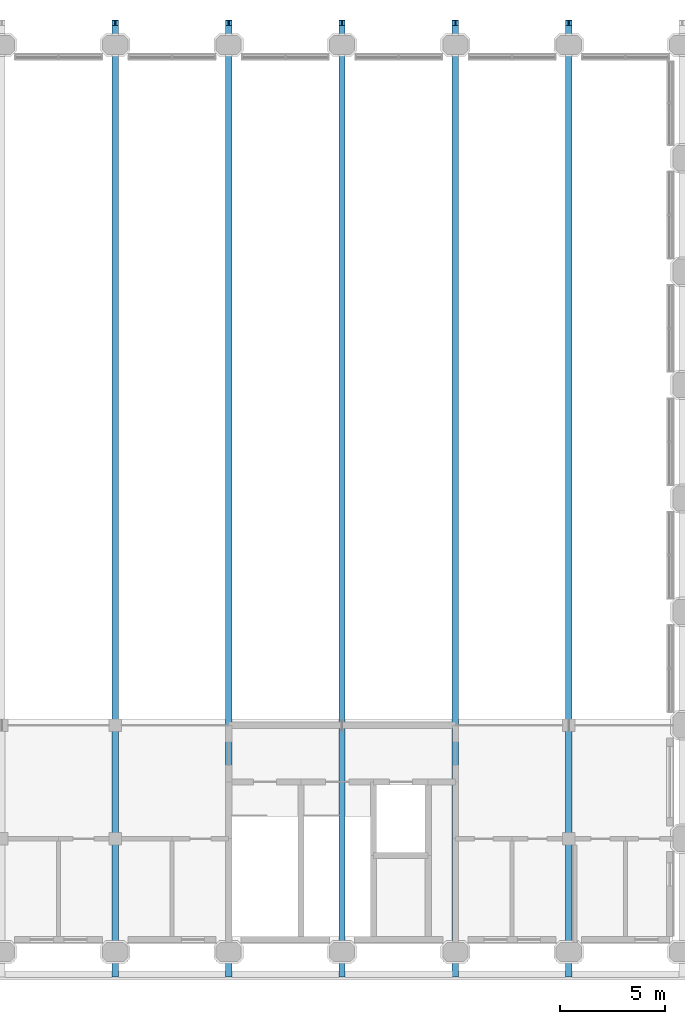
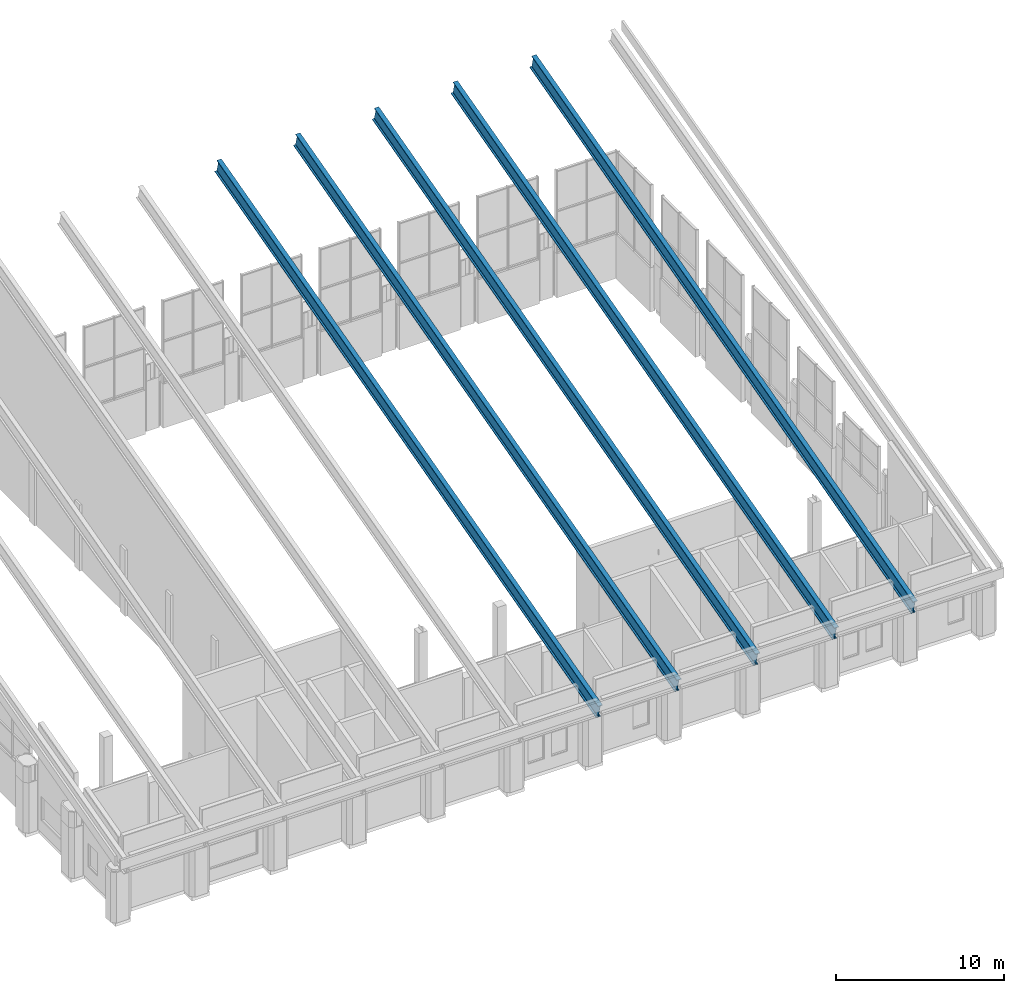
# One storey, part 17 of 42: 5 beams.
"""IFC4 building model written with IfcOpenShell, lengths in metres."""

import ifcopenshell
import ifcopenshell.guid

model = None  # the IFC model being written
_history = None  # IfcOwnerHistory: only IFC2X3 demands one
_inside = {}  # id of a spatial element -> (the spatial element, [elements in it])
_under = {}  # id of a project, library or spatial element -> (it, [spatial elements below it])
_declared = {}  # id of a project -> (the project, [libraries it declares])
_typed = {}  # id of a type object -> (the type object, [elements of that type])
_made_of = {}  # id of a material, layer set ... -> (it, [elements and type objects made of it])


def new_model(schema):
    """Start an empty IFC model of exactly this schema.

    Asked for "IFC4X3", IfcOpenShell would pick the latest addendum, in which some entities
    have other attributes; the version numbers below select the first issue.
    IFC2X3 requires an IfcOwnerHistory on every rooted entity: one is made here for all.
    """
    global model, _history
    if schema == "IFC4X3":
        model = ifcopenshell.file(schema_version=(4, 3, 0, 0))
    else:
        model = ifcopenshell.file(schema=schema)
    _inside.clear()
    _under.clear()
    _declared.clear()
    _typed.clear()
    _made_of.clear()
    _history = None
    if model.schema == "IFC2X3":
        org = make("IfcOrganization", Name="unknown")
        user = make(
            "IfcPersonAndOrganization",
            ThePerson=make("IfcPerson", FamilyName="unknown"),
            TheOrganization=org,
        )
        app = make(
            "IfcApplication",
            ApplicationDeveloper=org,
            Version="unknown",
            ApplicationFullName="unknown",
            ApplicationIdentifier="unknown",
        )
        _history = make(
            "IfcOwnerHistory",
            OwningUser=user,
            OwningApplication=app,
            ChangeAction="ADDED",
            CreationDate=0,
        )
    return model


def make(cls, **values):
    """One entity of the class cls with the attributes given. An attribute that is None is left unset."""
    return model.create_entity(
        cls, **{name: value for name, value in values.items() if value is not None}
    )


def rooted(cls, **values):
    """An entity with a GlobalId (a new one), such as an element, a storey or a relation."""
    return make(cls, GlobalId=ifcopenshell.guid.new(), OwnerHistory=_history, **values)


def si_unit(unit_type, name, prefix=None):
    """IfcSIUnit, for example si_unit("LENGTHUNIT", "METRE", prefix="MILLI")."""
    return make("IfcSIUnit", UnitType=unit_type, Prefix=prefix, Name=name)


def assignment(units):
    """IfcUnitAssignment: the units of a project."""
    return None if units is None else make("IfcUnitAssignment", Units=units)


def point(xyz):
    """IfcCartesianPoint."""
    return None if xyz is None else make("IfcCartesianPoint", Coordinates=xyz)


def direction(xyz):
    """IfcDirection."""
    return None if xyz is None else make("IfcDirection", DirectionRatios=xyz)


def frame(location, z_axis=None, x_axis=None):
    """IfcAxis2Placement3D, a coordinate frame: its origin and axes. An axis left out is left unset."""
    return make(
        "IfcAxis2Placement3D",
        Location=point(location),
        Axis=direction(z_axis),
        RefDirection=direction(x_axis),
    )


def frame_2d(location, x_axis=None):
    """IfcAxis2Placement2D, a coordinate frame in the plane: its origin and x axis."""
    return make(
        "IfcAxis2Placement2D", Location=point(location), RefDirection=direction(x_axis)
    )


def origin():
    """The frame at (0, 0, 0) with its axes left unset."""
    return frame((0.0, 0.0, 0.0))


def origin_2d():
    """The frame at (0, 0) in the plane with its x axis left unset."""
    return frame_2d((0.0, 0.0))


def place(relative_to, where):
    """IfcLocalPlacement: puts the frame where relative to a parent placement (None: the world)."""
    return make(
        "IfcLocalPlacement", PlacementRelTo=relative_to, RelativePlacement=where
    )


def context(
    kind, dimensions, precision=None, world=None, true_north=None, identifier=None
):
    """IfcGeometricRepresentationContext, for example the 3D "Model" context."""
    return make(
        "IfcGeometricRepresentationContext",
        ContextIdentifier=identifier,
        ContextType=kind,
        CoordinateSpaceDimension=dimensions,
        Precision=precision,
        WorldCoordinateSystem=world,
        TrueNorth=true_north,
    )


def subcontext(parent, identifier, kind, view, scale=None):
    """IfcGeometricRepresentationSubContext, for example "Body" below "Model"."""
    return make(
        "IfcGeometricRepresentationSubContext",
        ContextIdentifier=identifier,
        ContextType=kind,
        ParentContext=parent,
        TargetScale=scale,
        TargetView=view,
    )


def project(units=None, contexts=None):
    """IfcProject with its units and contexts."""
    return rooted(
        "IfcProject",
        Name="project",
        RepresentationContexts=contexts,
        UnitsInContext=assignment(units),
    )


def spatial(cls, under=None, at=None, **own):
    """A site, building, storey or space (cls), placed at a placement, below another one or the project."""
    s = rooted(cls, ObjectPlacement=at, **own)
    if under is not None:
        _under.setdefault(under.id(), (under, []))[1].append(s)
    return s


def profile(cls, at=None, kind="AREA", **sizes):
    """A parametric profile (cls). Its sizes go by their IFC names, for example OverallWidth=200.0."""
    return make(cls, ProfileType=kind, Position=at, **sizes)


def i_section(**sizes):
    """IfcIShapeProfileDef."""
    return profile("IfcIShapeProfileDef", **sizes)


def extrude(swept, where, along, depth):
    """IfcExtrudedAreaSolid: the profile swept, set in the frame where, extruded along a direction by depth."""
    return make(
        "IfcExtrudedAreaSolid",
        SweptArea=swept,
        Position=where,
        ExtrudedDirection=direction(along),
        Depth=depth,
    )


def shape(context_of_items, identifier, shape_type, items):
    """IfcShapeRepresentation: the items that make up one representation, for example the "Body"."""
    return make(
        "IfcShapeRepresentation",
        ContextOfItems=context_of_items,
        RepresentationIdentifier=identifier,
        RepresentationType=shape_type,
        Items=items,
    )


def material(Name=None, Category=None):
    """IfcMaterial."""
    return make("IfcMaterial", Name=Name, Category=Category)


def material_profile(
    of_material, cross_section, Name=None, Category=None, Priority=None
):
    """IfcMaterialProfile: a cross section and its material."""
    return make(
        "IfcMaterialProfile",
        Name=Name,
        Material=of_material,
        Profile=cross_section,
        Priority=Priority,
        Category=Category,
    )


def profile_set(profiles, Name=None, composite=None):
    """IfcMaterialProfileSet."""
    return make(
        "IfcMaterialProfileSet",
        Name=Name,
        MaterialProfiles=profiles,
        CompositeProfile=composite,
    )


def made_of(thing, what):
    """Note that an element or type object is made of a material, layer set ...; save() writes the relation."""
    if what is not None:
        _made_of.setdefault(what.id(), (what, []))[1].append(thing)
    return thing


def type_object(cls, material=None, **own):
    """A type object (cls), such as IfcWallType, which elements share."""
    return made_of(rooted(cls, **own), material)


def element(
    cls,
    number,
    at=None,
    inside=None,
    cuts=None,
    type_object=None,
    material=None,
    context=None,
    identifier="Body",
    shape_type=None,
    held_by="IfcProductDefinitionShape",
    body=None,
    shapes=None,
    **own,
):
    """One element of the class cls, such as IfcWall. Its Tag is "e" and its number.

    at: its placement. inside: the storey or other place that contains it. cuts: it is an
    opening in that element (IfcRelVoidsElement). A single representation is given by context,
    identifier, shape_type and body (its items); several are given by shapes. held_by: the class
    of the entity that holds the representations. save() writes the other relations.
    """
    e = rooted(cls, Tag="e%d" % number, ObjectPlacement=at, **own)
    if body is not None:
        shapes = [shape(context, identifier, shape_type, body)]
    if shapes is not None:
        e.Representation = make(held_by, Representations=shapes)
    if inside is not None:
        _inside.setdefault(inside.id(), (inside, []))[1].append(e)
    if cuts is not None:
        rooted(
            "IfcRelVoidsElement", RelatingBuildingElement=cuts, RelatedOpeningElement=e
        )
    if type_object is not None:
        _typed.setdefault(type_object.id(), (type_object, []))[1].append(e)
    return made_of(e, material)


def aggregate(whole, parts):
    """IfcRelAggregates: a whole, such as a stair, and the parts it consists of."""
    return rooted("IfcRelAggregates", RelatingObject=whole, RelatedObjects=parts)


def save(model, path):
    """Write the relations noted so far, then the file.

    IfcRelAggregates (storeys below a building ...), IfcRelContainedInSpatialStructure (elements
    in a storey), IfcRelDefinesByType, IfcRelAssociatesMaterial and IfcRelDeclares: one each for
    every whole, place, type object, material and project.
    """
    for whole, parts in _under.values():
        aggregate(whole, parts)
    for where, things in _inside.values():
        rooted(
            "IfcRelContainedInSpatialStructure",
            RelatedElements=things,
            RelatingStructure=where,
        )
    for kind, things in _typed.values():
        rooted("IfcRelDefinesByType", RelatedObjects=things, RelatingType=kind)
    for what, things in _made_of.values():
        rooted("IfcRelAssociatesMaterial", RelatedObjects=things, RelatingMaterial=what)
    for by, libraries in _declared.values():
        rooted("IfcRelDeclares", RelatingContext=by, RelatedDefinitions=libraries)
    model.write(path)


model = new_model("IFC4")

# Units and contexts
model_context = context("Model", 3, precision=1e-05, world=origin(), true_north=direction((0.0, 1.0)))
body_context = subcontext(model_context, "Body", "Model", "MODEL_VIEW")
ifc_project = project(units=[si_unit("LENGTHUNIT", "METRE"), si_unit("AREAUNIT", "SQUARE_METRE"), si_unit("VOLUMEUNIT", "CUBIC_METRE"), si_unit("PLANEANGLEUNIT", "RADIAN"), si_unit("MASSUNIT", "GRAM", prefix="KILO")], contexts=[model_context])

# Site, building, storey
site_placement = place(None, origin())
site = spatial("IfcSite", under=ifc_project, at=site_placement, CompositionType="ELEMENT")
building_placement = place(site_placement, origin())
building = spatial("IfcBuilding", under=site, at=building_placement, Name="Tabaq Tower and Sports Hall", CompositionType="ELEMENT")
storey_placement = place(building_placement, frame((0.0, 0.0, 19.800048828125)))
storey = spatial("IfcBuildingStorey", under=building, at=storey_placement, Name="L03", CompositionType="ELEMENT", Elevation=19.800048828125)

# Beams
ifc_material = material(Name="Steel S355", Category="steel")
ifc_material_profile = material_profile(ifc_material, i_section(OverallWidth=0.305419921875, OverallDepth=1.026123046875, WebThickness=0.02685546875, FlangeThickness=0.048095703125, FilletRadius=0.030029296875, at=origin_2d()), Name="UB 1016x305x437")
ifc_profile_set = profile_set([ifc_material_profile], Name="Steel S355")
beam_type = type_object("IfcBeamType", Name="HALL ROOF GIRDER UB 1016x305x437", PredefinedType="BEAM", material=ifc_profile_set)
for number, where, z_axis, x_axis, name in (
    (1, (97.199951171875, -1.050048828125, 4.171875), (0.0, 0.96592544198, 0.258820479358), (-1.0, 0.0, 0.0), "Roof girder 19"),
    (2, (102.60009765625, -1.050048828125, 4.171875), (0.0, 0.96592544198, 0.258820479358), (-1.0, 0.0, 0.0), "Roof girder 20"),
    (3, (108.0, -1.050048828125, 4.171875), (0.0, 0.96592544198, 0.258820479358), (-1.0, 0.0, 0.0), "Roof girder 21"),
    (4, (113.39990234375, -1.050048828125, 4.171875), (0.0, 0.96592544198, 0.258820479358), (-1.0, 0.0, 0.0), "Roof girder 22"),
    (5, (118.800048828125, -1.050048828125, 4.171875), (0.0, 0.96592544198, 0.258820479358), (-1.0, 0.0, 0.0), "Roof girder 23"),
):
    element("IfcBeam", number, at=place(storey_placement, frame(where, z_axis=z_axis, x_axis=x_axis)), inside=storey, type_object=beam_type, Name=name, PredefinedType="BEAM", context=body_context, shape_type="SweptSolid", body=[
        extrude(i_section(OverallWidth=0.305419921875, OverallDepth=1.026123046875, WebThickness=0.02685546875, FlangeThickness=0.048095703125, FilletRadius=0.030029296875, at=origin_2d()), origin(), (0.0, 0.0, 1.0), 46.898193359375),
    ])

save(model, "model.ifc")
